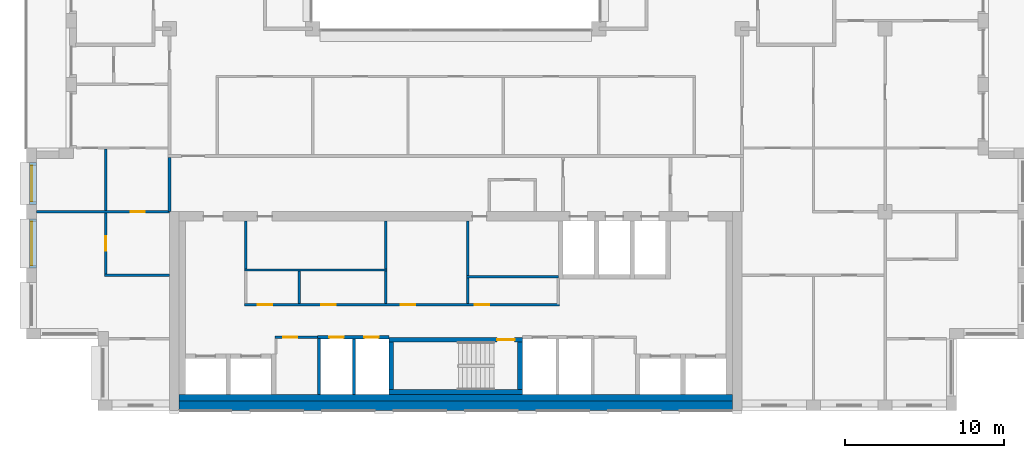
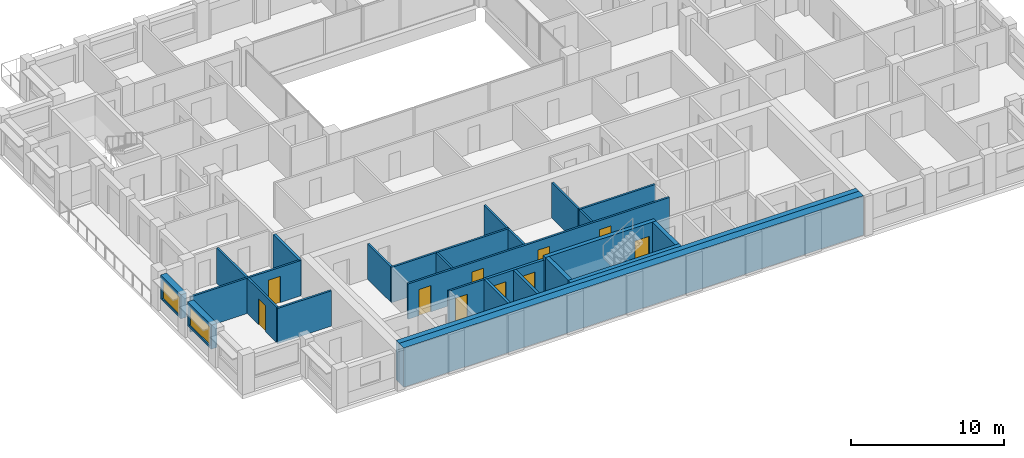
# One storey, part 8 of 16: 26 walls, 10 doors, 2 windows, 12 openings.
"""IFC4 building model written with IfcOpenShell, lengths in metres."""

from ifc_helpers import new_model, si_unit, direction, frame, frame_2d, origin, place, context, subcontext, project, spatial, rectangle, extrude, material, layer, layer_set, type_object, element, fill, save


model = new_model("IFC4")

# Units and contexts
model_context = context("Model", 3, precision=1e-05, world=origin(), true_north=direction((0.0, 1.0)))
body_context = subcontext(model_context, "Body", "Model", "MODEL_VIEW")
ifc_project = project(units=[si_unit("LENGTHUNIT", "METRE"), si_unit("AREAUNIT", "SQUARE_METRE"), si_unit("VOLUMEUNIT", "CUBIC_METRE"), si_unit("PLANEANGLEUNIT", "RADIAN"), si_unit("MASSUNIT", "GRAM", prefix="KILO")], contexts=[model_context])

# Site, building, storey
site_placement = place(None, origin())
site = spatial("IfcSite", under=ifc_project, at=site_placement, CompositionType="ELEMENT")
building_placement = place(site_placement, origin())
building = spatial("IfcBuilding", under=site, at=building_placement, Name="Brigalow Station Residences", CompositionType="ELEMENT")
storey_placement = place(building_placement, frame((0.0, 0.0, 198.0)))
storey = spatial("IfcBuildingStorey", under=building, at=storey_placement, Name="L56", CompositionType="ELEMENT", Elevation=198.0)

# Wall, opening, window
ifc_material_1 = material(Name="Clay brick masonry", Category="masonry")
ifc_layer_1 = layer(ifc_material_1, 0.449951171875)
ifc_layer_set_1 = layer_set([ifc_layer_1], Name="BRICK INFILL WALL 450")
wall_type_1 = type_object("IfcWallType", Name="BRICK INFILL WALL 450", PredefinedType="SOLIDWALL", material=ifc_layer_set_1)
wall_1_placement = place(storey_placement, frame((9.425048828125, 15.60009765625, 0.89990234375), z_axis=(0.0, 0.0, 1.0), x_axis=(0.0, -1.0, 0.0)))
wall_1 = element("IfcWall", 1, at=wall_1_placement, inside=storey, type_object=wall_type_1, Name="L56/ewall/W-L56-41", PredefinedType="SOLIDWALL", context=body_context, shape_type="SweptSolid", body=[
    extrude(rectangle(XDim=2.650146484375, YDim=0.449951171875, at=frame_2d((1.3251953125, 0.0))), origin(), (0.0, 0.0, 1.0), 1.93017578125),
])
opening_1_placement = place(wall_1_placement, frame((0.199951171875, 0.0, 0.14990234375)))
opening_1 = element("IfcOpeningElement", 2, at=opening_1_placement, cuts=wall_1, Name="Opening WT-6", PredefinedType="OPENING", context=body_context, shape_type="SweptSolid", body=[
    extrude(rectangle(XDim=2.25, YDim=1.5, at=frame_2d((1.125, 0.75))), frame((0.0, 0.23486328125, 0.0), z_axis=(0.0, -1.0, 0.0), x_axis=(1.0, 0.0, 0.0)), (0.0, 0.0, 1.0), 0.469970703125),
])
ifc_material_2 = material(Name="Anodised aluminium frame with double glazing", Category="aluminium")
window_type_1 = type_object("IfcWindowType", Name="WINDOW 2250x1500", PartitioningType="SINGLE_PANEL", PredefinedType="WINDOW", material=ifc_material_2)
window_1_placement = place(opening_1_placement, origin())
window_1 = element("IfcWindow", 3, at=window_1_placement, inside=storey, type_object=window_type_1, Name="L56/window/W-L56-41", OverallHeight=1.5, OverallWidth=2.25, PartitioningType="SINGLE_PANEL", PredefinedType="WINDOW", context=body_context, shape_type="SweptSolid", body=[
    extrude(rectangle(XDim=2.25, YDim=1.5, at=frame_2d((1.125, 0.75))), frame((0.0, -0.06494140625, 0.0), z_axis=(0.0, -1.0, 0.0), x_axis=(1.0, 0.0, 0.0)), (0.0, 0.0, 1.0), 0.06005859375),
])
fill(opening_1, window_1)

wall_2_placement = place(storey_placement, frame((9.425048828125, 12.050048828125, 0.89990234375), z_axis=(0.0, 0.0, 1.0), x_axis=(0.0, -1.0, 0.0)))
wall_2 = element("IfcWall", 4, at=wall_2_placement, inside=storey, type_object=wall_type_1, Name="L56/ewall/W-L56-42", PredefinedType="SOLIDWALL", context=body_context, shape_type="SweptSolid", body=[
    extrude(rectangle(XDim=3.10009765625, YDim=0.449951171875, at=frame_2d((1.550048828125, 0.0))), origin(), (0.0, 0.0, 1.0), 1.93017578125),
])
opening_2_placement = place(wall_2_placement, frame((0.175048828125, 0.0, 0.14990234375)))
opening_2 = element("IfcOpeningElement", 5, at=opening_2_placement, cuts=wall_2, Name="Opening WT-3", PredefinedType="OPENING", context=body_context, shape_type="SweptSolid", body=[
    extrude(rectangle(XDim=2.75, YDim=1.5, at=frame_2d((1.375, 0.75))), frame((0.0, 0.23486328125, 0.0), z_axis=(0.0, -1.0, 0.0), x_axis=(1.0, 0.0, 0.0)), (0.0, 0.0, 1.0), 0.469970703125),
])
ifc_material_3 = material(Name="Anodised aluminium frame with double glazing", Category="aluminium")
window_type_2 = type_object("IfcWindowType", Name="WINDOW 2750x1500", PartitioningType="SINGLE_PANEL", PredefinedType="WINDOW", material=ifc_material_3)
window_2_placement = place(opening_2_placement, origin())
window_2 = element("IfcWindow", 6, at=window_2_placement, inside=storey, type_object=window_type_2, Name="L56/window/W-L56-42", OverallHeight=1.5, OverallWidth=2.75, PartitioningType="SINGLE_PANEL", PredefinedType="WINDOW", context=body_context, shape_type="SweptSolid", body=[
    extrude(rectangle(XDim=2.75, YDim=1.5, at=frame_2d((1.375, 0.75))), frame((0.0, -0.06494140625, 0.0), z_axis=(0.0, -1.0, 0.0), x_axis=(1.0, 0.0, 0.0)), (0.0, 0.0, 1.0), 0.06005859375),
])
fill(opening_2, window_2)

# Wall
ifc_material_4 = material(Name="Concrete C50", Category="concrete")
ifc_layer_2 = layer(ifc_material_4, 0.300048828125)
ifc_layer_set_2 = layer_set([ifc_layer_2], Name="CORE SHEAR WALL 300 C50")
wall_type_2 = type_object("IfcWallType", Name="CORE SHEAR WALL 300 C50", PredefinedType="SHEAR", material=ifc_layer_set_2)
wall_3_placement = place(storey_placement, frame((31.800048828125, 1.14990234375, 0.0), z_axis=(0.0, 0.0, 1.0), x_axis=(1.0, 0.0, 0.0)))
element("IfcWall", 7, at=wall_3_placement, inside=storey, type_object=wall_type_2, Name="CORE WALL ST-S2-S L56", PredefinedType="SHEAR", context=body_context, shape_type="SweptSolid", body=[
    extrude(rectangle(XDim=8.39990234375, YDim=0.300048828125, at=frame_2d((4.199951171875, 0.0))), origin(), (0.0, 0.0, 1.0), 3.14990234375),
])

# Wall, opening, door
wall_4_placement = place(storey_placement, frame((31.800048828125, 4.449951171875, 0.0), z_axis=(0.0, 0.0, 1.0), x_axis=(1.0, 0.0, 0.0)))
wall_4 = element("IfcWall", 8, at=wall_4_placement, inside=storey, type_object=wall_type_2, Name="CORE WALL ST-S2-N L56", PredefinedType="SHEAR", context=body_context, shape_type="SweptSolid", body=[
    extrude(rectangle(XDim=8.39990234375, YDim=0.300048828125, at=frame_2d((4.199951171875, 0.0))), origin(), (0.0, 0.0, 1.0), 3.14990234375),
])
opening_3_placement = place(wall_4_placement, frame((6.800048828125, 0.0, 0.0)))
opening_3 = element("IfcOpeningElement", 9, at=opening_3_placement, cuts=wall_4, Name="Opening D-5001", PredefinedType="OPENING", context=body_context, shape_type="SweptSolid", body=[
    extrude(rectangle(XDim=1.10009765625, YDim=2.10009765625, at=frame_2d((0.550048828125, 1.050048828125))), frame((0.0, 0.16015625, 0.0), z_axis=(0.0, -1.0, 0.0), x_axis=(1.0, 0.0, 0.0)), (0.0, 0.0, 1.0), 0.320068359375),
])
ifc_material_5 = material(Name="Steel fire door leaf in steel frame", Category="steel")
door_type_1 = type_object("IfcDoorType", Name="STAIR DOOR 1100 x 2100 FD60S", OperationType="SINGLE_SWING_LEFT", PredefinedType="DOOR", material=ifc_material_5)
door_1_placement = place(opening_3_placement, frame((1.10009765625, 0.0, 0.0), z_axis=(0.0, 0.0, 1.0), x_axis=(-1.0, 0.0, 0.0)))
door_1 = element("IfcDoor", 10, at=door_1_placement, inside=storey, type_object=door_type_1, Name="D-5001", OperationType="SINGLE_SWING_LEFT", OverallHeight=2.10009765625, OverallWidth=1.10009765625, PredefinedType="DOOR", context=body_context, shape_type="SweptSolid", body=[
    extrude(rectangle(XDim=1.10009765625, YDim=2.10009765625, at=frame_2d((0.550048828125, 1.050048828125))), frame((0.0, 0.02490234375, 0.0), z_axis=(0.0, -1.0, 0.0), x_axis=(1.0, 0.0, 0.0)), (0.0, 0.0, 1.0), 0.050048828125),
])
fill(opening_3, door_1)

# Walls
for number, where, z_axis, x_axis, name in (
    (11, (31.949951171875, 1.300048828125, 0.0), (0.0, 0.0, 1.0), (0.0, 1.0, 0.0), "CORE WALL ST-S2-W L56"),
    (12, (40.050048828125, 1.300048828125, 0.0), (0.0, 0.0, 1.0), (0.0, 1.0, 0.0), "CORE WALL ST-S2-E L56"),
):
    element("IfcWall", number, at=place(storey_placement, frame(where, z_axis=z_axis, x_axis=x_axis)), inside=storey, type_object=wall_type_2, Name=name, PredefinedType="SHEAR", context=body_context, shape_type="SweptSolid", body=[
        extrude(rectangle(XDim=3.0, YDim=0.300048828125, at=frame_2d((1.5, 0.0))), origin(), (0.0, 0.0, 1.0), 3.14990234375),
    ])
ifc_material_6 = material(Name="Concrete C50", Category="concrete")
ifc_layer_3 = layer(ifc_material_6, 0.39990234375)
ifc_layer_set_3 = layer_set([ifc_layer_3], Name="CORE SHEAR WALL 400 C50")
wall_type_3 = type_object("IfcWallType", Name="CORE SHEAR WALL 400 C50", PredefinedType="SHEAR", material=ifc_layer_set_3)
wall_5_placement = place(storey_placement, frame((18.60009765625, 0.800048828125, 0.0), z_axis=(0.0, 0.0, 1.0), x_axis=(1.0, 0.0, 0.0)))
element("IfcWall", 13, at=wall_5_placement, inside=storey, type_object=wall_type_3, Name="CORE WALL LIN-S L56", PredefinedType="SHEAR", context=body_context, shape_type="SweptSolid", body=[
    extrude(rectangle(XDim=34.7998046875, YDim=0.39990234375, at=frame_2d((17.39990234375, 0.0))), origin(), (0.0, 0.0, 1.0), 3.14990234375),
])
ifc_material_7 = material(Name="Concrete C50", Category="concrete")
ifc_layer_4 = layer(ifc_material_7, 0.60009765625)
ifc_layer_set_4 = layer_set([ifc_layer_4], Name="CORE SHEAR WALL 600 C50")
wall_type_4 = type_object("IfcWallType", Name="CORE SHEAR WALL 600 C50", PredefinedType="SHEAR", material=ifc_layer_set_4)
wall_6_placement = place(storey_placement, frame((18.60009765625, 0.300048828125, 0.0), z_axis=(0.0, 0.0, 1.0), x_axis=(1.0, 0.0, 0.0)))
element("IfcWall", 14, at=wall_6_placement, inside=storey, type_object=wall_type_4, Name="CORE WALL OUT-S L56", PredefinedType="SHEAR", context=body_context, shape_type="SweptSolid", body=[
    extrude(rectangle(XDim=34.7998046875, YDim=0.60009765625, at=frame_2d((17.39990234375, 0.0))), origin(), (0.0, 0.0, 1.0), 3.14990234375),
])

# Wall, openings, doors
ifc_material_8 = material(Name="Concrete blockwork", Category="masonry")
ifc_layer_5 = layer(ifc_material_8, 0.199951171875)
ifc_layer_set_5 = layer_set([ifc_layer_5], Name="FIRE RATED CORE PARTITION 200")
wall_type_5 = type_object("IfcWallType", Name="FIRE RATED CORE PARTITION 200", PredefinedType="PARTITIONING", material=ifc_layer_set_5)
wall_7_placement = place(storey_placement, frame((27.300048828125, 4.60009765625, 0.0), z_axis=(0.0, 0.0, 1.0), x_axis=(1.0, 0.0, 0.0)))
wall_7 = element("IfcWall", 15, at=wall_7_placement, inside=storey, type_object=wall_type_5, Name="PW-5017", PredefinedType="PARTITIONING", context=body_context, shape_type="SweptSolid", body=[
    extrude(rectangle(XDim=4.5, YDim=0.199951171875, at=frame_2d((2.25, 0.0))), origin(), (0.0, 0.0, 1.0), 2.830078125),
])
opening_4_placement = place(wall_7_placement, frame((0.75, 0.0, 0.0)))
opening_4 = element("IfcOpeningElement", 16, at=opening_4_placement, cuts=wall_7, Name="Opening D-5007", PredefinedType="OPENING", context=body_context, shape_type="SweptSolid", body=[
    extrude(rectangle(XDim=0.89990234375, YDim=2.10009765625, at=frame_2d((0.449951171875, 1.050048828125))), frame((0.0, 0.10986328125, 0.0), z_axis=(0.0, -1.0, 0.0), x_axis=(1.0, 0.0, 0.0)), (0.0, 0.0, 1.0), 0.219970703125),
])
opening_5_placement = place(wall_7_placement, frame((2.949951171875, 0.0, 0.0)))
opening_5 = element("IfcOpeningElement", 17, at=opening_5_placement, cuts=wall_7, Name="Opening D-5008", PredefinedType="OPENING", context=body_context, shape_type="SweptSolid", body=[
    extrude(rectangle(XDim=0.89990234375, YDim=2.10009765625, at=frame_2d((0.449951171875, 1.050048828125))), frame((0.0, 0.10986328125, 0.0), z_axis=(0.0, -1.0, 0.0), x_axis=(1.0, 0.0, 0.0)), (0.0, 0.0, 1.0), 0.219970703125),
])
ifc_material_9 = material(Name="Steel fire door leaf in steel frame", Category="steel")
door_type_2 = type_object("IfcDoorType", Name="RISER ACCESS DOOR 900 x 2100 FD120", OperationType="SINGLE_SWING_LEFT", PredefinedType="DOOR", material=ifc_material_9)
door_2_placement = place(opening_4_placement, frame((0.89990234375, 0.0, 0.0), z_axis=(0.0, 0.0, 1.0), x_axis=(-1.0, 0.0, 0.0)))
door_2 = element("IfcDoor", 18, at=door_2_placement, inside=storey, type_object=door_type_2, Name="D-5007", OperationType="SINGLE_SWING_RIGHT", OverallHeight=2.10009765625, OverallWidth=0.89990234375, PredefinedType="DOOR", context=body_context, shape_type="SweptSolid", body=[
    extrude(rectangle(XDim=0.89990234375, YDim=2.10009765625, at=frame_2d((0.449951171875, 1.050048828125))), frame((0.0, 0.02490234375, 0.0), z_axis=(0.0, -1.0, 0.0), x_axis=(1.0, 0.0, 0.0)), (0.0, 0.0, 1.0), 0.050048828125),
])
fill(opening_4, door_2)
door_3_placement = place(opening_5_placement, frame((0.89990234375, 0.0, 0.0), z_axis=(0.0, 0.0, 1.0), x_axis=(-1.0, 0.0, 0.0)))
door_3 = element("IfcDoor", 19, at=door_3_placement, inside=storey, type_object=door_type_2, Name="D-5008", OperationType="SINGLE_SWING_RIGHT", OverallHeight=2.10009765625, OverallWidth=0.89990234375, PredefinedType="DOOR", context=body_context, shape_type="SweptSolid", body=[
    extrude(rectangle(XDim=0.89990234375, YDim=2.10009765625, at=frame_2d((0.449951171875, 1.050048828125))), frame((0.0, 0.02490234375, 0.0), z_axis=(0.0, -1.0, 0.0), x_axis=(1.0, 0.0, 0.0)), (0.0, 0.0, 1.0), 0.050048828125),
])
fill(opening_5, door_3)

# Walls
wall_8_placement = place(storey_placement, frame((27.39990234375, 1.0, 0.0), z_axis=(0.0, 0.0, 1.0), x_axis=(0.0, 1.0, 0.0)))
element("IfcWall", 20, at=wall_8_placement, inside=storey, type_object=wall_type_5, Name="PW-5027", PredefinedType="PARTITIONING", context=body_context, shape_type="SweptSolid", body=[
    extrude(rectangle(XDim=3.52490234375, YDim=0.199951171875, at=frame_2d((1.762451171875, 0.0))), origin(), (0.0, 0.0, 1.0), 2.830078125),
])
wall_9_placement = place(storey_placement, frame((29.60009765625, 1.0, 0.0), z_axis=(0.0, 0.0, 1.0), x_axis=(0.0, 1.0, 0.0)))
element("IfcWall", 21, at=wall_9_placement, inside=storey, type_object=wall_type_5, Name="PW-5006", PredefinedType="PARTITIONING", context=body_context, shape_type="SweptSolid", body=[
    extrude(rectangle(XDim=3.5, YDim=0.199951171875, at=frame_2d((1.75, 0.0))), origin(), (0.0, 0.0, 1.0), 2.830078125),
])
wall_10_placement = place(storey_placement, frame((18.0, 12.5, 0.0), z_axis=(0.0, 0.0, 1.0), x_axis=(0.0, 1.0, 0.0)))
element("IfcWall", 22, at=wall_10_placement, inside=storey, type_object=wall_type_5, Name="PW-5013", PredefinedType="PARTITIONING", context=body_context, shape_type="SweptSolid", body=[
    extrude(rectangle(XDim=3.39990234375, YDim=0.199951171875, at=frame_2d((1.699951171875, 0.0))), origin(), (0.0, 0.0, 1.0), 2.830078125),
])

# Wall, opening, door
ifc_material_10 = material(Name="Plasterboard on steel stud partition", Category="steel")
ifc_layer_6 = layer(ifc_material_10, 0.14990234375)
ifc_layer_set_6 = layer_set([ifc_layer_6], Name="FLAT PARTITION 150")
wall_type_6 = type_object("IfcWallType", Name="FLAT PARTITION 150", PredefinedType="PARTITIONING", material=ifc_layer_set_6)
wall_11_placement = place(storey_placement, frame((9.64990234375, 12.5, 0.0), z_axis=(0.0, 0.0, 1.0), x_axis=(1.0, 0.0, 0.0)))
wall_11 = element("IfcWall", 23, at=wall_11_placement, inside=storey, type_object=wall_type_6, Name="PW-4A12", PredefinedType="PARTITIONING", context=body_context, shape_type="SweptSolid", body=[
    extrude(rectangle(XDim=8.35009765625, YDim=0.14990234375, at=frame_2d((4.175048828125, 0.0))), origin(), (0.0, 0.0, 1.0), 2.830078125),
])
opening_6_placement = place(wall_11_placement, frame((5.89990234375, 0.0, 0.0)))
opening_6 = element("IfcOpeningElement", 24, at=opening_6_placement, cuts=wall_11, Name="Opening D-4A08", PredefinedType="OPENING", context=body_context, shape_type="SweptSolid", body=[
    extrude(rectangle(XDim=0.89990234375, YDim=2.10009765625, at=frame_2d((0.449951171875, 1.050048828125))), frame((0.0, 0.0849609375, 0.0), z_axis=(0.0, -1.0, 0.0), x_axis=(1.0, 0.0, 0.0)), (0.0, 0.0, 1.0), 0.169921875),
])
ifc_material_11 = material(Name="Solid-core timber door leaf", Category="wood")
door_type_3 = type_object("IfcDoorType", Name="INTERNAL DOOR 900 x 2100", OperationType="SINGLE_SWING_LEFT", PredefinedType="DOOR", material=ifc_material_11)
door_4_placement = place(opening_6_placement, origin())
door_4 = element("IfcDoor", 25, at=door_4_placement, inside=storey, type_object=door_type_3, Name="D-4A08", OperationType="SINGLE_SWING_LEFT", OverallHeight=2.10009765625, OverallWidth=0.89990234375, PredefinedType="DOOR", context=body_context, shape_type="SweptSolid", body=[
    extrude(rectangle(XDim=0.89990234375, YDim=2.10009765625, at=frame_2d((0.449951171875, 1.050048828125))), frame((0.0, 0.02490234375, 0.0), z_axis=(0.0, -1.0, 0.0), x_axis=(1.0, 0.0, 0.0)), (0.0, 0.0, 1.0), 0.050048828125),
])
fill(opening_6, door_4)

# Wall
wall_12_placement = place(storey_placement, frame((13.925048828125, 8.5, 0.0), z_axis=(0.0, 0.0, 1.0), x_axis=(1.0, 0.0, 0.0)))
element("IfcWall", 26, at=wall_12_placement, inside=storey, type_object=wall_type_6, Name="PW-4A14", PredefinedType="PARTITIONING", context=body_context, shape_type="SweptSolid", body=[
    extrude(rectangle(XDim=4.074951171875, YDim=0.14990234375, at=frame_2d((2.03759765625, 0.0))), origin(), (0.0, 0.0, 1.0), 2.830078125),
])

# Wall, opening, door
wall_13_placement = place(storey_placement, frame((14.0, 8.574951171875, 0.0), z_axis=(0.0, 0.0, 1.0), x_axis=(0.0, 1.0, 0.0)))
wall_13 = element("IfcWall", 27, at=wall_13_placement, inside=storey, type_object=wall_type_6, Name="PW-4A43", PredefinedType="PARTITIONING", context=body_context, shape_type="SweptSolid", body=[
    extrude(rectangle(XDim=3.85009765625, YDim=0.14990234375, at=frame_2d((1.925048828125, 0.0))), origin(), (0.0, 0.0, 1.0), 2.830078125),
])
opening_7_placement = place(wall_13_placement, frame((1.47509765625, 0.0, 0.0)))
opening_7 = element("IfcOpeningElement", 28, at=opening_7_placement, cuts=wall_13, Name="Opening D-4A09", PredefinedType="OPENING", context=body_context, shape_type="SweptSolid", body=[
    extrude(rectangle(XDim=0.89990234375, YDim=2.10009765625, at=frame_2d((0.449951171875, 1.050048828125))), frame((0.0, 0.0849609375, 0.0), z_axis=(0.0, -1.0, 0.0), x_axis=(1.0, 0.0, 0.0)), (0.0, 0.0, 1.0), 0.169921875),
])
door_5_placement = place(opening_7_placement, origin())
door_5 = element("IfcDoor", 29, at=door_5_placement, inside=storey, type_object=door_type_3, Name="D-4A09", OperationType="SINGLE_SWING_RIGHT", OverallHeight=2.10009765625, OverallWidth=0.89990234375, PredefinedType="DOOR", context=body_context, shape_type="SweptSolid", body=[
    extrude(rectangle(XDim=0.89990234375, YDim=2.10009765625, at=frame_2d((0.449951171875, 1.050048828125))), frame((0.0, 0.02490234375, 0.0), z_axis=(0.0, -1.0, 0.0), x_axis=(1.0, 0.0, 0.0)), (0.0, 0.0, 1.0), 0.050048828125),
])
fill(opening_7, door_5)

# Wall
wall_14_placement = place(storey_placement, frame((14.0, 12.574951171875, 0.0), z_axis=(0.0, 0.0, 1.0), x_axis=(0.0, 1.0, 0.0)))
element("IfcWall", 30, at=wall_14_placement, inside=storey, type_object=wall_type_6, Name="PW-4A44", PredefinedType="PARTITIONING", context=body_context, shape_type="SweptSolid", body=[
    extrude(rectangle(XDim=3.85009765625, YDim=0.14990234375, at=frame_2d((1.925048828125, 0.0))), origin(), (0.0, 0.0, 1.0), 2.830078125),
])

# Wall, opening, door
ifc_material_12 = material(Name="Plasterboard on steel studs", Category="steel")
ifc_layer_7 = layer(ifc_material_12, 0.14990234375)
ifc_layer_set_7 = layer_set([ifc_layer_7], Name="SERVICE ROOM PARTITION 150")
wall_type_7 = type_object("IfcWallType", Name="SERVICE ROOM PARTITION 150", PredefinedType="PARTITIONING", material=ifc_layer_set_7)
wall_15_placement = place(storey_placement, frame((24.625, 4.60009765625, 0.0), z_axis=(0.0, 0.0, 1.0), x_axis=(1.0, 0.0, 0.0)))
wall_15 = element("IfcWall", 31, at=wall_15_placement, inside=storey, type_object=wall_type_7, Name="PW-5155", PredefinedType="PARTITIONING", context=body_context, shape_type="SweptSolid", body=[
    extrude(rectangle(XDim=2.675048828125, YDim=0.14990234375, at=frame_2d((1.33740234375, 0.0))), origin(), (0.0, 0.0, 1.0), 2.830078125),
])
opening_8_placement = place(wall_15_placement, frame((0.52490234375, 0.0, 0.0)))
opening_8 = element("IfcOpeningElement", 32, at=opening_8_placement, cuts=wall_15, Name="Opening D-5087", PredefinedType="OPENING", context=body_context, shape_type="SweptSolid", body=[
    extrude(rectangle(XDim=0.89990234375, YDim=2.10009765625, at=frame_2d((0.449951171875, 1.050048828125))), frame((0.0, 0.0849609375, 0.0), z_axis=(0.0, -1.0, 0.0), x_axis=(1.0, 0.0, 0.0)), (0.0, 0.0, 1.0), 0.169921875),
])
ifc_material_13 = material(Name="Steel door leaf in steel frame", Category="steel")
door_type_4 = type_object("IfcDoorType", Name="SERVICE ROOM DOOR 900 x 2100 FD60", OperationType="SINGLE_SWING_LEFT", PredefinedType="DOOR", material=ifc_material_13)
door_6_placement = place(opening_8_placement, frame((0.89990234375, 0.0, 0.0), z_axis=(0.0, 0.0, 1.0), x_axis=(-1.0, 0.0, 0.0)))
door_6 = element("IfcDoor", 33, at=door_6_placement, inside=storey, type_object=door_type_4, Name="D-5087", OperationType="SINGLE_SWING_RIGHT", OverallHeight=2.10009765625, OverallWidth=0.89990234375, PredefinedType="DOOR", context=body_context, shape_type="SweptSolid", body=[
    extrude(rectangle(XDim=0.89990234375, YDim=2.10009765625, at=frame_2d((0.449951171875, 1.050048828125))), frame((0.0, 0.02490234375, 0.0), z_axis=(0.0, -1.0, 0.0), x_axis=(1.0, 0.0, 0.0)), (0.0, 0.0, 1.0), 0.050048828125),
])
fill(opening_8, door_6)

# Wall, openings, doors
wall_16_placement = place(storey_placement, frame((22.72509765625, 6.64990234375, 0.0), z_axis=(0.0, 0.0, 1.0), x_axis=(1.0, 0.0, 0.0)))
wall_16 = element("IfcWall", 34, at=wall_16_placement, inside=storey, type_object=wall_type_7, Name="PW-5195", PredefinedType="PARTITIONING", context=body_context, shape_type="SweptSolid", body=[
    extrude(rectangle(XDim=19.7998046875, YDim=0.14990234375, at=frame_2d((9.89990234375, 0.0))), origin(), (0.0, 0.0, 1.0), 2.830078125),
])
opening_9_placement = place(wall_16_placement, frame((0.824951171875, 0.0, 0.0)))
opening_9 = element("IfcOpeningElement", 35, at=opening_9_placement, cuts=wall_16, Name="Opening D-5110", PredefinedType="OPENING", context=body_context, shape_type="SweptSolid", body=[
    extrude(rectangle(XDim=0.89990234375, YDim=2.10009765625, at=frame_2d((0.449951171875, 1.050048828125))), frame((0.0, 0.0849609375, 0.0), z_axis=(0.0, -1.0, 0.0), x_axis=(1.0, 0.0, 0.0)), (0.0, 0.0, 1.0), 0.169921875),
])
opening_10_placement = place(wall_16_placement, frame((4.824951171875, 0.0, 0.0)))
opening_10 = element("IfcOpeningElement", 36, at=opening_10_placement, cuts=wall_16, Name="Opening D-5116", PredefinedType="OPENING", context=body_context, shape_type="SweptSolid", body=[
    extrude(rectangle(XDim=0.89990234375, YDim=2.10009765625, at=frame_2d((0.449951171875, 1.050048828125))), frame((0.0, 0.0849609375, 0.0), z_axis=(0.0, -1.0, 0.0), x_axis=(1.0, 0.0, 0.0)), (0.0, 0.0, 1.0), 0.169921875),
])
opening_11_placement = place(wall_16_placement, frame((9.824951171875, 0.0, 0.0)))
opening_11 = element("IfcOpeningElement", 37, at=opening_11_placement, cuts=wall_16, Name="Opening D-5117", PredefinedType="OPENING", context=body_context, shape_type="SweptSolid", body=[
    extrude(rectangle(XDim=0.89990234375, YDim=2.10009765625, at=frame_2d((0.449951171875, 1.050048828125))), frame((0.0, 0.0849609375, 0.0), z_axis=(0.0, -1.0, 0.0), x_axis=(1.0, 0.0, 0.0)), (0.0, 0.0, 1.0), 0.169921875),
])
opening_12_placement = place(wall_16_placement, frame((14.47509765625, 0.0, 0.0)))
opening_12 = element("IfcOpeningElement", 38, at=opening_12_placement, cuts=wall_16, Name="Opening D-5114", PredefinedType="OPENING", context=body_context, shape_type="SweptSolid", body=[
    extrude(rectangle(XDim=0.89990234375, YDim=2.10009765625, at=frame_2d((0.449951171875, 1.050048828125))), frame((0.0, 0.0849609375, 0.0), z_axis=(0.0, -1.0, 0.0), x_axis=(1.0, 0.0, 0.0)), (0.0, 0.0, 1.0), 0.169921875),
])
door_7_placement = place(opening_9_placement, origin())
door_7 = element("IfcDoor", 39, at=door_7_placement, inside=storey, type_object=door_type_4, Name="D-5110", OperationType="SINGLE_SWING_LEFT", OverallHeight=2.10009765625, OverallWidth=0.89990234375, PredefinedType="DOOR", context=body_context, shape_type="SweptSolid", body=[
    extrude(rectangle(XDim=0.89990234375, YDim=2.10009765625, at=frame_2d((0.449951171875, 1.050048828125))), frame((0.0, 0.02490234375, 0.0), z_axis=(0.0, -1.0, 0.0), x_axis=(1.0, 0.0, 0.0)), (0.0, 0.0, 1.0), 0.050048828125),
])
fill(opening_9, door_7)
door_8_placement = place(opening_10_placement, origin())
door_8 = element("IfcDoor", 40, at=door_8_placement, inside=storey, type_object=door_type_4, Name="D-5116", OperationType="SINGLE_SWING_LEFT", OverallHeight=2.10009765625, OverallWidth=0.89990234375, PredefinedType="DOOR", context=body_context, shape_type="SweptSolid", body=[
    extrude(rectangle(XDim=0.89990234375, YDim=2.10009765625, at=frame_2d((0.449951171875, 1.050048828125))), frame((0.0, 0.02490234375, 0.0), z_axis=(0.0, -1.0, 0.0), x_axis=(1.0, 0.0, 0.0)), (0.0, 0.0, 1.0), 0.050048828125),
])
fill(opening_10, door_8)
door_9_placement = place(opening_11_placement, origin())
door_9 = element("IfcDoor", 41, at=door_9_placement, inside=storey, type_object=door_type_4, Name="D-5117", OperationType="SINGLE_SWING_LEFT", OverallHeight=2.10009765625, OverallWidth=0.89990234375, PredefinedType="DOOR", context=body_context, shape_type="SweptSolid", body=[
    extrude(rectangle(XDim=0.89990234375, YDim=2.10009765625, at=frame_2d((0.449951171875, 1.050048828125))), frame((0.0, 0.02490234375, 0.0), z_axis=(0.0, -1.0, 0.0), x_axis=(1.0, 0.0, 0.0)), (0.0, 0.0, 1.0), 0.050048828125),
])
fill(opening_11, door_9)
door_10_placement = place(opening_12_placement, origin())
door_10 = element("IfcDoor", 42, at=door_10_placement, inside=storey, type_object=door_type_4, Name="D-5114", OperationType="SINGLE_SWING_LEFT", OverallHeight=2.10009765625, OverallWidth=0.89990234375, PredefinedType="DOOR", context=body_context, shape_type="SweptSolid", body=[
    extrude(rectangle(XDim=0.89990234375, YDim=2.10009765625, at=frame_2d((0.449951171875, 1.050048828125))), frame((0.0, 0.02490234375, 0.0), z_axis=(0.0, -1.0, 0.0), x_axis=(1.0, 0.0, 0.0)), (0.0, 0.0, 1.0), 0.050048828125),
])
fill(opening_12, door_10)

# Walls
wall_17_placement = place(storey_placement, frame((36.675048828125, 8.39990234375, 0.0), z_axis=(0.0, 0.0, 1.0), x_axis=(1.0, 0.0, 0.0)))
element("IfcWall", 43, at=wall_17_placement, inside=storey, type_object=wall_type_7, Name="PW-5204", PredefinedType="PARTITIONING", context=body_context, shape_type="SweptSolid", body=[
    extrude(rectangle(XDim=5.77490234375, YDim=0.14990234375, at=frame_2d((2.887451171875, 0.0))), origin(), (0.0, 0.0, 1.0), 2.830078125),
])
wall_18_placement = place(storey_placement, frame((22.72509765625, 8.830078125, 0.0), z_axis=(0.0, 0.0, 1.0), x_axis=(1.0, 0.0, 0.0)))
element("IfcWall", 44, at=wall_18_placement, inside=storey, type_object=wall_type_7, Name="PW-5205", PredefinedType="PARTITIONING", context=body_context, shape_type="SweptSolid", body=[
    extrude(rectangle(XDim=8.9599609375, YDim=0.14990234375, at=frame_2d((4.47998046875, 0.0))), origin(), (0.0, 0.0, 1.0), 2.830078125),
])
for number, where, z_axis, x_axis, name in (
    (45, (26.169921875, 6.72509765625, 0.0), (0.0, 0.0, 1.0), (0.0, 1.0, 0.0), "PW-5208"),
    (46, (31.610107421875, 6.72509765625, 0.0), (0.0, 0.0, 1.0), (0.0, 1.0, 0.0), "PW-5209"),
):
    element("IfcWall", number, at=place(storey_placement, frame(where, z_axis=z_axis, x_axis=x_axis)), inside=storey, type_object=wall_type_7, Name=name, PredefinedType="PARTITIONING", context=body_context, shape_type="SweptSolid", body=[
        extrude(rectangle(XDim=2.02978515625, YDim=0.14990234375, at=frame_2d((1.014892578125, 0.0))), origin(), (0.0, 0.0, 1.0), 2.830078125),
    ])
wall_19_placement = place(storey_placement, frame((36.75, 6.72509765625, 0.0), z_axis=(0.0, 0.0, 1.0), x_axis=(0.0, 1.0, 0.0)))
element("IfcWall", 47, at=wall_19_placement, inside=storey, type_object=wall_type_7, Name="PW-5210", PredefinedType="PARTITIONING", context=body_context, shape_type="SweptSolid", body=[
    extrude(rectangle(XDim=1.599853515625, YDim=0.14990234375, at=frame_2d((0.7998046875, 0.0))), origin(), (0.0, 0.0, 1.0), 2.830078125),
])
wall_20_placement = place(storey_placement, frame((36.75, 8.47509765625, 0.0), z_axis=(0.0, 0.0, 1.0), x_axis=(0.0, 1.0, 0.0)))
element("IfcWall", 48, at=wall_20_placement, inside=storey, type_object=wall_type_7, Name="PW-5211", PredefinedType="PARTITIONING", context=body_context, shape_type="SweptSolid", body=[
    extrude(rectangle(XDim=3.4248046875, YDim=0.14990234375, at=frame_2d((1.71240234375, 0.0))), origin(), (0.0, 0.0, 1.0), 2.830078125),
])
for number, where, z_axis, x_axis, name in (
    (49, (22.800048828125, 8.905029296875, 0.0), (0.0, 0.0, 1.0), (0.0, 1.0, 0.0), "PW-5212"),
    (50, (31.610107421875, 8.905029296875, 0.0), (0.0, 0.0, 1.0), (0.0, 1.0, 0.0), "PW-5213"),
):
    element("IfcWall", number, at=place(storey_placement, frame(where, z_axis=z_axis, x_axis=x_axis)), inside=storey, type_object=wall_type_7, Name=name, PredefinedType="PARTITIONING", context=body_context, shape_type="SweptSolid", body=[
        extrude(rectangle(XDim=2.994873046875, YDim=0.14990234375, at=frame_2d((1.49755859375, 0.0))), origin(), (0.0, 0.0, 1.0), 2.830078125),
    ])

save(model, "model.ifc")
